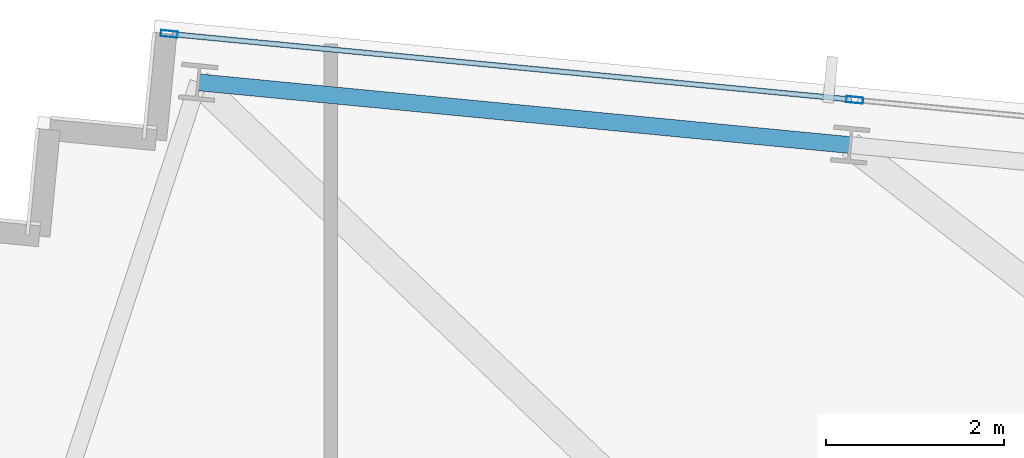
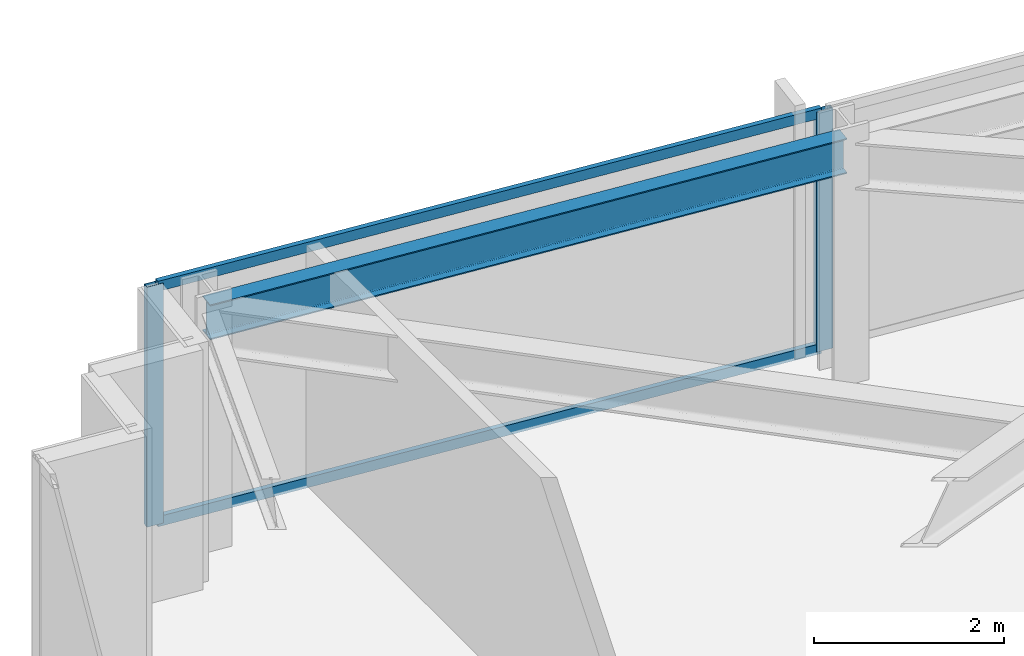
# One storey, part 23 of 38: 4 members, 1 beam, 1 element without a shape of its own.
"""IFC4 building model written with IfcOpenShell, lengths in metres."""

from ifc_helpers import new_model, si_unit, direction, frame, origin, origin_2d, place, context, subcontext, project, spatial, hollow_rectangle, i_section, extrude, material, material_profile, profile_set, type_object, element, aggregate, save


model = new_model("IFC4")

# Units and contexts
model_context = context("Model", 3, precision=1e-05, world=origin(), true_north=direction((0.0, 1.0)))
body_context = subcontext(model_context, "Body", "Model", "MODEL_VIEW")
ifc_project = project(units=[si_unit("LENGTHUNIT", "METRE"), si_unit("AREAUNIT", "SQUARE_METRE"), si_unit("VOLUMEUNIT", "CUBIC_METRE"), si_unit("PLANEANGLEUNIT", "RADIAN"), si_unit("MASSUNIT", "GRAM", prefix="KILO")], contexts=[model_context])

# Site, building, storey
site_placement = place(None, origin())
site = spatial("IfcSite", under=ifc_project, at=site_placement, CompositionType="ELEMENT")
building_placement = place(site_placement, origin())
building = spatial("IfcBuilding", under=site, at=building_placement, Name="Yelkora Congress Tower", CompositionType="ELEMENT")
storey_placement = place(building_placement, frame((0.0, 0.0, 155.60009765625)))
storey = spatial("IfcBuildingStorey", under=building, at=storey_placement, Name="L42", CompositionType="ELEMENT", Elevation=155.60009765625)

# Beam
ifc_material_1 = material(Name="Steel S355J2", Category="steel")
ifc_material_profile_1 = material_profile(ifc_material_1, i_section(OverallWidth=0.18994140625, OverallDepth=0.449951171875, WebThickness=0.009521484375, FlangeThickness=0.0146484375, FilletRadius=0.02099609375, at=origin_2d()), Name="IPE 450")
ifc_profile_set_1 = profile_set([ifc_material_profile_1], Name="Steel S355J2")
beam_type = type_object("IfcBeamType", Name="BM-SPAN-IPE450", PredefinedType="SPANDREL", material=ifc_profile_set_1)
beam_placement = place(storey_placement, frame((14.712158203125, 49.685546875, 2.85498046875), z_axis=(-0.995397104697, 0.095836339457, 0.0), x_axis=(-0.095836339457, -0.995397104697, 0.0)))
element("IfcBeam", 1, at=beam_placement, inside=storey, type_object=beam_type, Name="L42 Perimeter Beam 15", PredefinedType="SPANDREL", context=body_context, shape_type="SweptSolid", body=[
    extrude(i_section(OverallWidth=0.18994140625, OverallDepth=0.449951171875, WebThickness=0.009521484375, FlangeThickness=0.0146484375, FilletRadius=0.02099609375, at=origin_2d()), origin(), (0.0, 0.0, 1.0), 7.357177734375),
])

# Curtain wall, members
ifc_material_2 = material(Name="Anodised aluminium and insulated glass", Category="aluminium")
curtain_wall_type = type_object("IfcCurtainWallType", Name="CW-SYS-B3", PredefinedType="NOTDEFINED", material=ifc_material_2)
curtain_wall_placement = place(storey_placement, origin())
curtain_wall = element("IfcCurtainWall", 2, at=curtain_wall_placement, inside=storey, type_object=curtain_wall_type, Name="L42 Unitised Curtain Wall 10 (1)", PredefinedType="NOTDEFINED")
ifc_material_3 = material(Name="Anodised aluminium 6063-T6", Category="aluminium")
ifc_material_profile_2 = material_profile(ifc_material_3, hollow_rectangle(XDim=0.070068359375, YDim=0.18994140625, WallThickness=0.00390625, at=origin_2d()), Name="ALU 70x190x4")
ifc_profile_set_2 = profile_set([ifc_material_profile_2], Name="Anodised aluminium 6063-T6")
member_type_1 = type_object("IfcMemberType", Name="MEM-ML-B3", PredefinedType="MULLION", material=ifc_profile_set_2)
member_1_placement = place(storey_placement, frame((7.064453125, 50.934326171875, 0.0), z_axis=(0.0, 0.0, 1.0), x_axis=(0.095844761168, 0.995396293823, 0.0)))
member_1 = element("IfcMember", 3, at=member_1_placement, type_object=member_type_1, Name="CW-B3 mullion 1", PredefinedType="MULLION", context=body_context, shape_type="SweptSolid", body=[
    extrude(hollow_rectangle(XDim=0.070068359375, YDim=0.18994140625, WallThickness=0.00390625, at=origin_2d()), origin(), (0.0, 0.0, 1.0), 3.079833984375),
])
member_2_placement = place(storey_placement, frame((14.76318359375, 50.19287109375, 0.0), z_axis=(0.0, 0.0, 1.0), x_axis=(0.095844761168, 0.995396293823, 0.0)))
member_2 = element("IfcMember", 4, at=member_2_placement, type_object=member_type_1, Name="CW-B3 mullion 2", PredefinedType="MULLION", context=body_context, shape_type="SweptSolid", body=[
    extrude(hollow_rectangle(XDim=0.070068359375, YDim=0.18994140625, WallThickness=0.00390625, at=origin_2d()), origin(), (0.0, 0.0, 1.0), 3.079833984375),
])
ifc_material_profile_3 = material_profile(ifc_material_3, hollow_rectangle(XDim=0.06005859375, YDim=0.1298828125, WallThickness=0.00390625, at=origin_2d()), Name="ALU 60x130x4")
ifc_profile_set_3 = profile_set([ifc_material_profile_3], Name="Anodised aluminium 6063-T6")
member_type_2 = type_object("IfcMemberType", Name="MEM-TR-B3", PredefinedType="USERDEFINED", material=ifc_profile_set_3)
member_3_placement = place(storey_placement, frame((7.099365234375, 50.930908203125, 0.02978515625), z_axis=(0.995395712642, -0.09585079683, 0.0), x_axis=(0.09585079683, 0.995395712642, 0.0)))
member_3 = element("IfcMember", 5, at=member_3_placement, type_object=member_type_2, Name="CW-B3 transom 1.1", ObjectType="TRANSOM", PredefinedType="USERDEFINED", context=body_context, shape_type="SweptSolid", body=[
    extrude(hollow_rectangle(XDim=0.06005859375, YDim=0.1298828125, WallThickness=0.00390625, at=origin_2d()), origin(), (0.0, 0.0, 1.0), 7.664306640625),
])
member_4_placement = place(storey_placement, frame((7.099365234375, 50.930908203125, 3.0498046875), z_axis=(0.995395712642, -0.09585079683, 0.0), x_axis=(0.09585079683, 0.995395712642, 0.0)))
member_4 = element("IfcMember", 6, at=member_4_placement, type_object=member_type_2, Name="CW-B3 transom 1.2", ObjectType="TRANSOM", PredefinedType="USERDEFINED", context=body_context, shape_type="SweptSolid", body=[
    extrude(hollow_rectangle(XDim=0.06005859375, YDim=0.1298828125, WallThickness=0.00390625, at=origin_2d()), origin(), (0.0, 0.0, 1.0), 7.664306640625),
])
aggregate(curtain_wall, [member_1, member_2, member_3, member_4])

save(model, "model.ifc")
